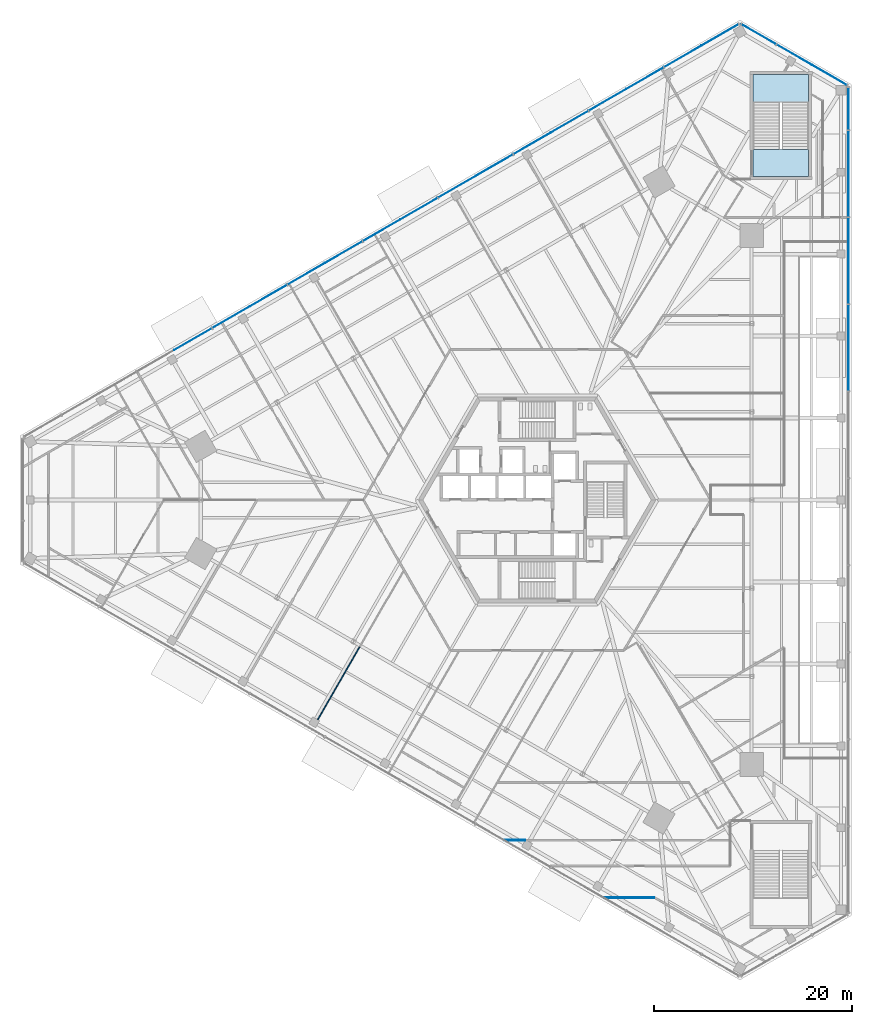
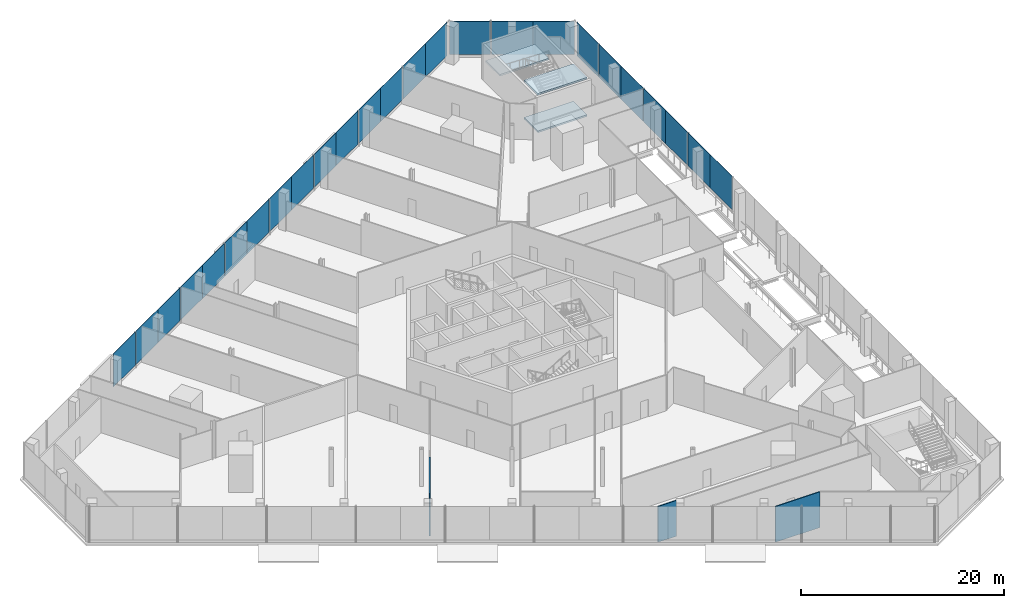
# One storey, part 17 of 27: 25 plates, 3 slabs, 3 walls, 4 elements without a shape of their own.
"""IFC4 building model written with IfcOpenShell, lengths in metres."""

from ifc_helpers import new_model, si_unit, direction, frame, frame_2d, origin, origin_2d, place, context, subcontext, project, spatial, polyline, rectangle, outline, extrude, source, transform, mapped, material, layer, layer_set, type_object, element, aggregate, save


model = new_model("IFC4")

# Units and contexts
model_context = context("Model", 3, precision=1e-05, world=origin(), true_north=direction((0.0, 1.0)))
body_context = subcontext(model_context, "Body", "Model", "MODEL_VIEW")
ifc_project = project(units=[si_unit("LENGTHUNIT", "METRE"), si_unit("AREAUNIT", "SQUARE_METRE"), si_unit("VOLUMEUNIT", "CUBIC_METRE"), si_unit("PLANEANGLEUNIT", "RADIAN"), si_unit("MASSUNIT", "GRAM", prefix="KILO")], contexts=[model_context])

# Site, building, storey
site_placement = place(None, origin())
site = spatial("IfcSite", under=ifc_project, at=site_placement, CompositionType="ELEMENT")
building_placement = place(site_placement, origin())
building = spatial("IfcBuilding", under=site, at=building_placement, Name="Triune Harvest Tower", CompositionType="ELEMENT")
storey_placement = place(building_placement, frame((0.0, 0.0, 7.0)))
storey = spatial("IfcBuildingStorey", under=building, at=storey_placement, Name="L01", CompositionType="ELEMENT", Elevation=7.0)

# Stair, slabs
ifc_material_1 = material(Name="Concrete 40 MPa", Category="concrete")
stair_type = type_object("IfcStairType", Name="Podium exit stair 2700 half turn", PredefinedType="HALF_TURN_STAIR", material=ifc_material_1)
stair_placement = place(storey_placement, origin())
stair = element("IfcStair", 1, at=stair_placement, inside=storey, type_object=stair_type, Name="Podium exit stair north", PredefinedType="HALF_TURN_STAIR")
ifc_material_2 = material(Name="Concrete 40 MPa", Category="concrete")
ifc_layer_1 = layer(ifc_material_2, 0.199951171875)
ifc_layer_set_1 = layer_set([ifc_layer_1], Name="Concrete 40 MPa")
slab_type = type_object("IfcSlabType", Name="Stair landing 200", PredefinedType="LANDING", material=ifc_layer_set_1)
shared_shape_1 = source(origin(), body_context, "Body", "SweptSolid", [
    extrude(outline(polyline([(27.419921875, 40.199951171875), (27.419921875, 43.0), (21.820068359375, 43.0), (21.820068359375, 40.199951171875), (27.419921875, 40.199951171875)])), origin(), (0.0, 0.0, 1.0), 0.199951171875),
])
slab_1_placement = place(storey_placement, frame((0.0, 0.0, 2.050048828125)))
slab_1 = element("IfcSlab", 2, at=slab_1_placement, type_object=slab_type, Name="PS-1 landing 2", PredefinedType="LANDING", context=body_context, shape_type="MappedRepresentation", body=[
    mapped(shared_shape_1, transform((0.0, 0.0, 0.0), scale=1.0)),
])
shared_shape_2 = source(origin(), body_context, "Body", "SweptSolid", [
    extrude(outline(polyline([(27.419921875, 32.699951171875), (27.419921875, 35.409912109375), (21.820068359375, 35.409912109375), (21.820068359375, 32.699951171875), (27.419921875, 32.699951171875)])), origin(), (0.0, 0.0, 1.0), 0.199951171875),
])
slab_2_placement = place(storey_placement, frame((0.0, 0.0, -0.199951171875)))
slab_2 = element("IfcSlab", 3, at=slab_2_placement, type_object=slab_type, Name="PS-1 landing 1", PredefinedType="LANDING", context=body_context, shape_type="MappedRepresentation", body=[
    mapped(shared_shape_2, transform((0.0, 0.0, 0.0), scale=1.0)),
])
slab_3_placement = place(storey_placement, frame((0.0, 0.0, 4.300048828125)))
slab_3 = element("IfcSlab", 4, at=slab_3_placement, type_object=slab_type, Name="PS-1 landing 3", PredefinedType="LANDING", context=body_context, shape_type="MappedRepresentation", body=[
    mapped(shared_shape_2, transform((0.0, 0.0, 0.0), scale=1.0)),
])
aggregate(stair, [slab_2, slab_1, slab_3])

# Curtain wall, plate
ifc_material_3 = material(Name="Aluminium bronze anodised", Category="aluminium")
curtain_wall_type = type_object("IfcCurtainWallType", Name="CW-2 Podium shopfront wall", PredefinedType="NOTDEFINED", material=ifc_material_3)
curtain_wall_1_placement = place(storey_placement, origin())
curtain_wall_1 = element("IfcCurtainWall", 5, at=curtain_wall_1_placement, inside=storey, type_object=curtain_wall_type, Name="CW-2 PD-F3 L01 run 1")
ifc_material_4 = material(Name="Glass", Category="glass")
ifc_layer_2 = layer(ifc_material_4, 0.0400390625)
ifc_layer_set_2 = layer_set([ifc_layer_2], Name="Glass")
plate_type = type_object("IfcPlateType", Name="GL-2 panel 40", PredefinedType="CURTAIN_PANEL", material=ifc_layer_set_2)
shared_shape_3 = source(origin(), body_context, "Body", "SweptSolid", [
    extrude(rectangle(XDim=4.303466796875, YDim=0.0400390625, at=origin_2d()), origin(), (0.0, 0.0, 1.0), 4.0),
])
plate_1_placement = place(storey_placement, frame((18.4765625, 46.98779296875, 0.300048828125), z_axis=(0.0, 0.0, 1.0), x_axis=(-0.866025276122, -0.500000221117, 0.0)))
plate_1 = element("IfcPlate", 6, at=plate_1_placement, type_object=plate_type, Name="CW-2 panel PD-F3 1.1", PredefinedType="CURTAIN_PANEL", context=body_context, shape_type="MappedRepresentation", body=[
    mapped(shared_shape_3, transform((0.0, 0.0, 0.0), scale=1.0)),
])

# Curtain wall, plates
curtain_wall_2_placement = place(storey_placement, origin())
curtain_wall_2 = element("IfcCurtainWall", 7, at=curtain_wall_2_placement, inside=storey, type_object=curtain_wall_type, Name="CW-2 PD-F1 L01 run 1")
shared_shape_4 = source(origin(), body_context, "Body", "SweptSolid", [
    extrude(rectangle(XDim=4.348388671875, YDim=0.0400390625, at=origin_2d()), origin(), (0.0, 0.0, 1.0), 4.0),
])
plate_2_placement = place(storey_placement, frame((31.454345703125, 13.20263671875, 0.300048828125), z_axis=(0.0, 0.0, 1.0), x_axis=(0.0, 1.0, 0.0)))
plate_2 = element("IfcPlate", 8, at=plate_2_placement, type_object=plate_type, Name="CW-2 panel PD-F1 1.13", PredefinedType="CURTAIN_PANEL", context=body_context, shape_type="MappedRepresentation", body=[
    mapped(shared_shape_4, transform((0.0, 0.0, 0.0), scale=1.0)),
])
plate_3_placement = place(storey_placement, frame((31.454345703125, 17.55078125, 0.300048828125), z_axis=(0.0, 0.0, 1.0), x_axis=(0.0, 1.0, 0.0)))
plate_3 = element("IfcPlate", 9, at=plate_3_placement, type_object=plate_type, Name="CW-2 panel PD-F1 1.14", PredefinedType="CURTAIN_PANEL", context=body_context, shape_type="MappedRepresentation", body=[
    mapped(shared_shape_4, transform((0.0, 0.0, 0.0), scale=1.0)),
])
plate_4_placement = place(storey_placement, frame((31.454345703125, 21.9892578125, 0.300048828125), z_axis=(0.0, 0.0, 1.0), x_axis=(0.0, 1.0, 0.0)))
plate_4 = element("IfcPlate", 10, at=plate_4_placement, type_object=plate_type, Name="CW-2 panel PD-F1 1.15", PredefinedType="CURTAIN_PANEL", context=body_context, shape_type="MappedRepresentation", body=[
    mapped(shared_shape_4, transform((0.0, 0.0, 0.0), scale=1.0)),
])
plate_5_placement = place(storey_placement, frame((31.454345703125, 26.337646484375, 0.300048828125), z_axis=(0.0, 0.0, 1.0), x_axis=(0.0, 1.0, 0.0)))
plate_5 = element("IfcPlate", 11, at=plate_5_placement, type_object=plate_type, Name="CW-2 panel PD-F1 1.16", PredefinedType="CURTAIN_PANEL", context=body_context, shape_type="MappedRepresentation", body=[
    mapped(shared_shape_4, transform((0.0, 0.0, 0.0), scale=1.0)),
])
plate_6_placement = place(storey_placement, frame((31.454345703125, 30.77587890625, 0.300048828125), z_axis=(0.0, 0.0, 1.0), x_axis=(0.0, 1.0, 0.0)))
plate_6 = element("IfcPlate", 12, at=plate_6_placement, type_object=plate_type, Name="CW-2 panel PD-F1 1.17", PredefinedType="CURTAIN_PANEL", context=body_context, shape_type="MappedRepresentation", body=[
    mapped(shared_shape_4, transform((0.0, 0.0, 0.0), scale=1.0)),
])
plate_7_placement = place(storey_placement, frame((31.454345703125, 35.124267578125, 0.300048828125), z_axis=(0.0, 0.0, 1.0), x_axis=(0.0, 1.0, 0.0)))
plate_7 = element("IfcPlate", 13, at=plate_7_placement, type_object=plate_type, Name="CW-2 panel PD-F1 1.18", PredefinedType="CURTAIN_PANEL", context=body_context, shape_type="MappedRepresentation", body=[
    mapped(shared_shape_4, transform((0.0, 0.0, 0.0), scale=1.0)),
])

# Plate
plate_8_placement = place(storey_placement, frame((14.730224609375, 44.824951171875, 0.300048828125), z_axis=(0.0, 0.0, 1.0), x_axis=(-0.866025276122, -0.500000221117, 0.0)))
plate_8 = element("IfcPlate", 14, at=plate_8_placement, type_object=plate_type, Name="CW-2 panel PD-F3 1.2", PredefinedType="CURTAIN_PANEL", context=body_context, shape_type="MappedRepresentation", body=[
    mapped(shared_shape_4, transform((0.0, 0.0, 0.0), scale=1.0)),
])

plate_9_placement = place(storey_placement, frame((10.88671875, 42.605712890625, 0.300048828125), z_axis=(0.0, 0.0, 1.0), x_axis=(-0.866025276122, -0.500000221117, 0.0)))
plate_9 = element("IfcPlate", 15, at=plate_9_placement, type_object=plate_type, Name="CW-2 panel PD-F3 1.3", PredefinedType="CURTAIN_PANEL", context=body_context, shape_type="MappedRepresentation", body=[
    mapped(shared_shape_4, transform((0.0, 0.0, 0.0), scale=1.0)),
])

plate_10_placement = place(storey_placement, frame((7.120849609375, 40.431396484375, 0.300048828125), z_axis=(0.0, 0.0, 1.0), x_axis=(-0.866025276122, -0.500000221117, 0.0)))
plate_10 = element("IfcPlate", 16, at=plate_10_placement, type_object=plate_type, Name="CW-2 panel PD-F3 1.4", PredefinedType="CURTAIN_PANEL", context=body_context, shape_type="MappedRepresentation", body=[
    mapped(shared_shape_4, transform((0.0, 0.0, 0.0), scale=1.0)),
])

plate_11_placement = place(storey_placement, frame((3.277099609375, 38.21240234375, 0.300048828125), z_axis=(0.0, 0.0, 1.0), x_axis=(-0.866025276122, -0.500000221117, 0.0)))
plate_11 = element("IfcPlate", 17, at=plate_11_placement, type_object=plate_type, Name="CW-2 panel PD-F3 1.5", PredefinedType="CURTAIN_PANEL", context=body_context, shape_type="MappedRepresentation", body=[
    mapped(shared_shape_4, transform((0.0, 0.0, 0.0), scale=1.0)),
])

plate_12_placement = place(storey_placement, frame((-0.48876953125, 36.0380859375, 0.300048828125), z_axis=(0.0, 0.0, 1.0), x_axis=(-0.866025276122, -0.500000221117, 0.0)))
plate_12 = element("IfcPlate", 18, at=plate_12_placement, type_object=plate_type, Name="CW-2 panel PD-F3 1.6", PredefinedType="CURTAIN_PANEL", context=body_context, shape_type="MappedRepresentation", body=[
    mapped(shared_shape_4, transform((0.0, 0.0, 0.0), scale=1.0)),
])

plate_13_placement = place(storey_placement, frame((-4.332275390625, 33.819091796875, 0.300048828125), z_axis=(0.0, 0.0, 1.0), x_axis=(-0.866025276122, -0.500000221117, 0.0)))
plate_13 = element("IfcPlate", 19, at=plate_13_placement, type_object=plate_type, Name="CW-2 panel PD-F3 1.7", PredefinedType="CURTAIN_PANEL", context=body_context, shape_type="MappedRepresentation", body=[
    mapped(shared_shape_4, transform((0.0, 0.0, 0.0), scale=1.0)),
])

plate_14_placement = place(storey_placement, frame((-8.09814453125, 31.644775390625, 0.300048828125), z_axis=(0.0, 0.0, 1.0), x_axis=(-0.866025276122, -0.500000221117, 0.0)))
plate_14 = element("IfcPlate", 20, at=plate_14_placement, type_object=plate_type, Name="CW-2 panel PD-F3 1.8", PredefinedType="CURTAIN_PANEL", context=body_context, shape_type="MappedRepresentation", body=[
    mapped(shared_shape_4, transform((0.0, 0.0, 0.0), scale=1.0)),
])

plate_15_placement = place(storey_placement, frame((-11.94189453125, 29.425537109375, 0.300048828125), z_axis=(0.0, 0.0, 1.0), x_axis=(-0.866025276122, -0.500000221117, 0.0)))
plate_15 = element("IfcPlate", 21, at=plate_15_placement, type_object=plate_type, Name="CW-2 panel PD-F3 1.9", PredefinedType="CURTAIN_PANEL", context=body_context, shape_type="MappedRepresentation", body=[
    mapped(shared_shape_4, transform((0.0, 0.0, 0.0), scale=1.0)),
])

plate_16_placement = place(storey_placement, frame((-15.707763671875, 27.25146484375, 0.300048828125), z_axis=(0.0, 0.0, 1.0), x_axis=(-0.866025276122, -0.500000221117, 0.0)))
plate_16 = element("IfcPlate", 22, at=plate_16_placement, type_object=plate_type, Name="CW-2 panel PD-F3 1.10", PredefinedType="CURTAIN_PANEL", context=body_context, shape_type="MappedRepresentation", body=[
    mapped(shared_shape_4, transform((0.0, 0.0, 0.0), scale=1.0)),
])

plate_17_placement = place(storey_placement, frame((-19.55126953125, 25.0322265625, 0.300048828125), z_axis=(0.0, 0.0, 1.0), x_axis=(-0.866025276122, -0.500000221117, 0.0)))
plate_17 = element("IfcPlate", 23, at=plate_17_placement, type_object=plate_type, Name="CW-2 panel PD-F3 1.11", PredefinedType="CURTAIN_PANEL", context=body_context, shape_type="MappedRepresentation", body=[
    mapped(shared_shape_4, transform((0.0, 0.0, 0.0), scale=1.0)),
])

plate_18_placement = place(storey_placement, frame((-23.317138671875, 22.858154296875, 0.300048828125), z_axis=(0.0, 0.0, 1.0), x_axis=(-0.866025276122, -0.500000221117, 0.0)))
plate_18 = element("IfcPlate", 24, at=plate_18_placement, type_object=plate_type, Name="CW-2 panel PD-F3 1.12", PredefinedType="CURTAIN_PANEL", context=body_context, shape_type="MappedRepresentation", body=[
    mapped(shared_shape_4, transform((0.0, 0.0, 0.0), scale=1.0)),
])

plate_19_placement = place(storey_placement, frame((-27.160888671875, 20.638916015625, 0.300048828125), z_axis=(0.0, 0.0, 1.0), x_axis=(-0.866025276122, -0.500000221117, 0.0)))
plate_19 = element("IfcPlate", 25, at=plate_19_placement, type_object=plate_type, Name="CW-2 panel PD-F3 1.13", PredefinedType="CURTAIN_PANEL", context=body_context, shape_type="MappedRepresentation", body=[
    mapped(shared_shape_4, transform((0.0, 0.0, 0.0), scale=1.0)),
])

plate_20_placement = place(storey_placement, frame((-30.9267578125, 18.46484375, 0.300048828125), z_axis=(0.0, 0.0, 1.0), x_axis=(-0.866025276122, -0.500000221117, 0.0)))
plate_20 = element("IfcPlate", 26, at=plate_20_placement, type_object=plate_type, Name="CW-2 panel PD-F3 1.14", PredefinedType="CURTAIN_PANEL", context=body_context, shape_type="MappedRepresentation", body=[
    mapped(shared_shape_4, transform((0.0, 0.0, 0.0), scale=1.0)),
])

plate_21_placement = place(storey_placement, frame((-34.770263671875, 16.24560546875, 0.300048828125), z_axis=(0.0, 0.0, 1.0), x_axis=(-0.866025276122, -0.500000221117, 0.0)))
plate_21 = element("IfcPlate", 27, at=plate_21_placement, type_object=plate_type, Name="CW-2 panel PD-F3 1.15", PredefinedType="CURTAIN_PANEL", context=body_context, shape_type="MappedRepresentation", body=[
    mapped(shared_shape_4, transform((0.0, 0.0, 0.0), scale=1.0)),
])

aggregate(curtain_wall_1, [plate_1, plate_8, plate_9, plate_10, plate_11, plate_12, plate_13, plate_14, plate_15, plate_16, plate_17, plate_18, plate_19, plate_20, plate_21])

shared_shape_5 = source(origin(), body_context, "Body", "SweptSolid", [
    extrude(rectangle(XDim=4.25830078125, YDim=0.0400390625, at=origin_2d()), origin(), (0.0, 0.0, 1.0), 4.0),
])
plate_22_placement = place(storey_placement, frame((31.454345703125, 39.517578125, 0.300048828125), z_axis=(0.0, 0.0, 1.0), x_axis=(0.0, 1.0, 0.0)))
plate_22 = element("IfcPlate", 28, at=plate_22_placement, type_object=plate_type, Name="CW-2 panel PD-F1 1.19", PredefinedType="CURTAIN_PANEL", context=body_context, shape_type="MappedRepresentation", body=[
    mapped(shared_shape_5, transform((0.0, 0.0, 0.0), scale=1.0)),
])

aggregate(curtain_wall_2, [plate_2, plate_3, plate_4, plate_5, plate_6, plate_7, plate_22])

# Curtain wall, plates
curtain_wall_3_placement = place(storey_placement, origin())
curtain_wall_3 = element("IfcCurtainWall", 29, at=curtain_wall_3_placement, inside=storey, type_object=curtain_wall_type, Name="CW-2 PD-F2 L01 run 1")
shared_shape_6 = source(origin(), body_context, "Body", "SweptSolid", [
    extrude(rectangle(XDim=4.06787109375, YDim=0.0400390625, at=origin_2d()), origin(), (0.0, 0.0, 1.0), 4.0),
])
plate_23_placement = place(storey_placement, frame((29.536865234375, 42.933837890625, 0.300048828125), z_axis=(0.0, 0.0, 1.0), x_axis=(-0.866026607989, 0.49999791425, 0.0)))
plate_23 = element("IfcPlate", 30, at=plate_23_placement, type_object=plate_type, Name="CW-2 panel PD-F2 1.1", PredefinedType="CURTAIN_PANEL", context=body_context, shape_type="MappedRepresentation", body=[
    mapped(shared_shape_6, transform((0.0, 0.0, 0.0), scale=1.0)),
])
shared_shape_7 = source(origin(), body_context, "Body", "SweptSolid", [
    extrude(rectangle(XDim=4.11279296875, YDim=0.0400390625, at=origin_2d()), origin(), (0.0, 0.0, 1.0), 4.0),
])
plate_24_placement = place(storey_placement, frame((25.99462890625, 44.97900390625, 0.300048828125), z_axis=(0.0, 0.0, 1.0), x_axis=(-0.866026607989, 0.49999791425, 0.0)))
plate_24 = element("IfcPlate", 31, at=plate_24_placement, type_object=plate_type, Name="CW-2 panel PD-F2 1.2", PredefinedType="CURTAIN_PANEL", context=body_context, shape_type="MappedRepresentation", body=[
    mapped(shared_shape_7, transform((0.0, 0.0, 0.0), scale=1.0)),
])
shared_shape_8 = source(origin(), body_context, "Body", "SweptSolid", [
    extrude(rectangle(XDim=4.02294921875, YDim=0.0400390625, at=origin_2d()), origin(), (0.0, 0.0, 1.0), 4.0),
])
plate_25_placement = place(storey_placement, frame((22.393798828125, 47.057861328125, 0.300048828125), z_axis=(0.0, 0.0, 1.0), x_axis=(-0.866026607989, 0.49999791425, 0.0)))
plate_25 = element("IfcPlate", 32, at=plate_25_placement, type_object=plate_type, Name="CW-2 panel PD-F2 1.3", PredefinedType="CURTAIN_PANEL", context=body_context, shape_type="MappedRepresentation", body=[
    mapped(shared_shape_8, transform((0.0, 0.0, 0.0), scale=1.0)),
])
aggregate(curtain_wall_3, [plate_23, plate_24, plate_25])

# Walls
ifc_material_5 = material(Name="Gypsum board on steel studs", Category="steel")
ifc_layer_3 = layer(ifc_material_5, 0.10009765625)
ifc_layer_set_3 = layer_set([ifc_layer_3], Name="Gypsum board on steel studs")
wall_type = type_object("IfcWallType", Name="Partition 100 mm", PredefinedType="PARTITIONING", material=ifc_layer_set_3)
wall_1_placement = place(storey_placement, frame((6.76171875, -40.16650390625, 0.0), z_axis=(0.0, 0.0, 1.0), x_axis=(1.0, 0.0, 0.0)))
element("IfcWall", 33, at=wall_1_placement, inside=storey, type_object=wall_type, Name="Partition L01 022", PredefinedType="PARTITIONING", context=body_context, shape_type="SweptSolid", body=[
    extrude(rectangle(XDim=5.090087890625, YDim=0.10009765625, at=frame_2d((2.544921875, 0.0))), origin(), (0.0, 0.0, 1.0), 4.300048828125),
])
wall_2_placement = place(storey_placement, frame((-3.261962890625, -34.379150390625, 0.0), z_axis=(0.0, 0.0, 1.0), x_axis=(1.0, 0.0, 0.0)))
element("IfcWall", 34, at=wall_2_placement, inside=storey, type_object=wall_type, Name="Partition L01 024", PredefinedType="PARTITIONING", context=body_context, shape_type="SweptSolid", body=[
    extrude(rectangle(XDim=2.08447265625, YDim=0.10009765625, at=frame_2d((1.042236328125, 0.0))), origin(), (0.0, 0.0, 1.0), 4.300048828125),
])
shared_shape_9 = source(origin(), body_context, "Body", "SweptSolid", [
    extrude(rectangle(XDim=8.490478515625, YDim=0.10009765625, at=frame_2d((4.2451171875, 0.0))), origin(), (0.0, 0.0, 1.0), 3.52783203125),
])
wall_3_placement = place(storey_placement, frame((-22.184326171875, -22.208251953125, 0.0), z_axis=(0.0, 0.0, 1.0), x_axis=(0.500007862672, 0.866020864221, 0.0)))
element("IfcWall", 35, at=wall_3_placement, inside=storey, type_object=wall_type, Name="Partition L01 058", PredefinedType="PARTITIONING", context=body_context, shape_type="MappedRepresentation", body=[
    mapped(shared_shape_9, transform((0.0, 0.0, 0.0), scale=1.0)),
])

save(model, "model.ifc")
